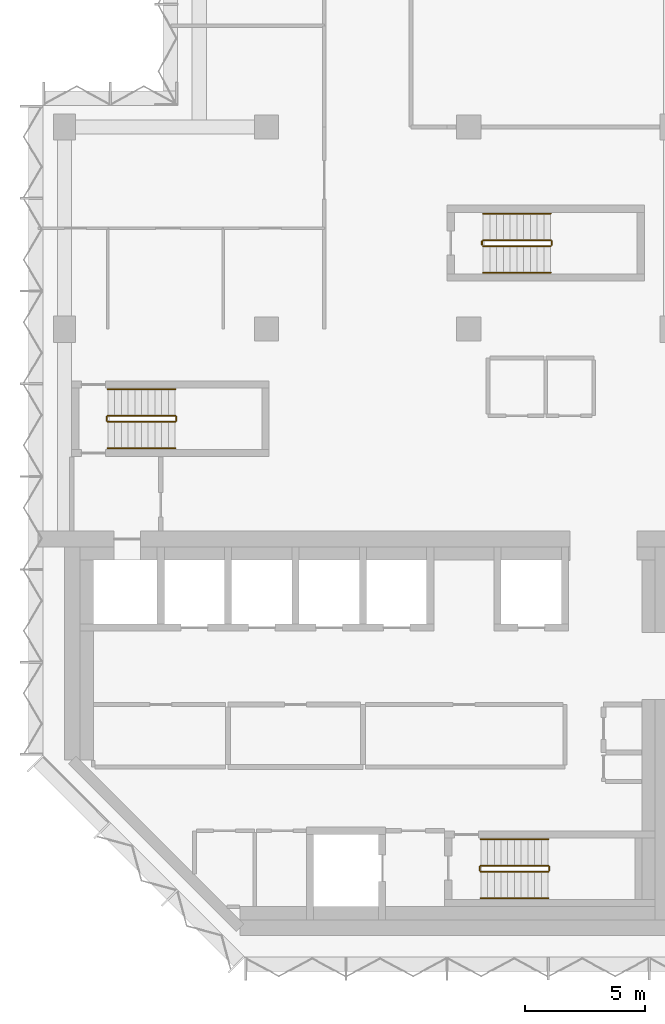
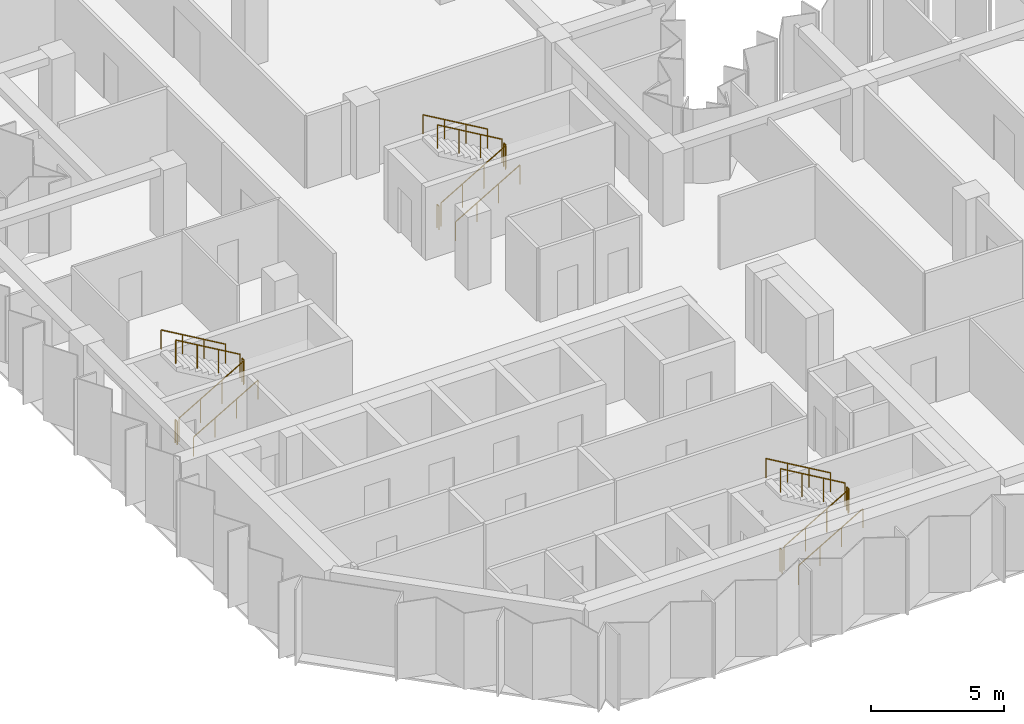
# One storey, part 9 of 10: 18 railings.
"""IFC4 building model written with IfcOpenShell, lengths in metres."""

from ifc_helpers import new_model, si_unit, direction, frame, origin, origin_2d, place, context, subcontext, project, spatial, circle, extrude, material, type_object, element, save


model = new_model("IFC4")

# Units and contexts
model_context = context("Model", 3, precision=1e-05, world=origin(), true_north=direction((0.0, 1.0)))
body_context = subcontext(model_context, "Body", "Model", "MODEL_VIEW")
ifc_project = project(units=[si_unit("LENGTHUNIT", "METRE"), si_unit("AREAUNIT", "SQUARE_METRE"), si_unit("VOLUMEUNIT", "CUBIC_METRE"), si_unit("PLANEANGLEUNIT", "RADIAN"), si_unit("MASSUNIT", "GRAM", prefix="KILO")], contexts=[model_context])

# Site, building, storey
site_placement = place(None, origin())
site = spatial("IfcSite", under=ifc_project, at=site_placement, CompositionType="ELEMENT")
building_placement = place(site_placement, origin())
building = spatial("IfcBuilding", under=site, at=building_placement, Name="Brevane Broadcast Tower", CompositionType="ELEMENT")
storey_placement = place(building_placement, frame((0.0, 0.0, 174.0)))
storey = spatial("IfcBuildingStorey", under=building, at=storey_placement, Name="L43", CompositionType="ELEMENT", Elevation=174.0)

# Railings
ifc_material = material(Name="Steel S355", Category="steel")
railing_type_1 = type_object("IfcRailingType", Name="Exit stair guard", PredefinedType="GUARDRAIL", material=ifc_material)
railing_1_placement = place(storey_placement, frame((1.800048828125, 21.35009765625, 0.16357421875)))
element("IfcRailing", 1, at=railing_1_placement, inside=storey, type_object=railing_type_1, Name="L43 ST-1 stair guard 1", PredefinedType="GUARDRAIL", context=body_context, shape_type="SweptSolid", body=[
    extrude(circle(Radius=0.02392578125, at=origin_2d()), frame((0.0, 0.0, 1.076171875), z_axis=(0.863360870873, 0.0, 0.504586966384), x_axis=(0.0, 1.0, 0.0)), (0.0, 0.0, 1.0), 3.2431640625),
    extrude(circle(Radius=0.02099609375, at=origin_2d()), origin(), (0.0, 0.0, 1.0), 1.052001953125),
    extrude(circle(Radius=0.02099609375, at=origin_2d()), frame((0.933349609375, 0.0, 0.54541015625)), (0.0, 0.0, 1.0), 1.052001953125),
    extrude(circle(Radius=0.02099609375, at=origin_2d()), frame((1.86669921875, 0.0, 1.091064453125)), (0.0, 0.0, 1.0), 1.052001953125),
    extrude(circle(Radius=0.02099609375, at=origin_2d()), frame((2.800048828125, 0.0, 1.636474609375)), (0.0, 0.0, 1.0), 1.052001953125),
])
railing_2_placement = place(storey_placement, frame((4.64990234375, 21.39990234375, 1.800048828125)))
element("IfcRailing", 2, at=railing_2_placement, inside=storey, type_object=railing_type_1, Name="L43 ST-1 stair guard 2", PredefinedType="GUARDRAIL", context=body_context, shape_type="SweptSolid", body=[
    extrude(circle(Radius=0.02392578125, at=origin_2d()), frame((0.0, 0.0, 1.076171875), z_axis=(0.0, 1.0, 0.0), x_axis=(-1.0, 0.0, 0.0)), (0.0, 0.0, 1.0), 0.150146484375),
    extrude(circle(Radius=0.02099609375, at=origin_2d()), origin(), (0.0, 0.0, 1.0), 1.052001953125),
    extrude(circle(Radius=0.02099609375, at=origin_2d()), frame((0.0, 0.150146484375, 0.0)), (0.0, 0.0, 1.0), 1.052001953125),
])
railing_3_placement = place(storey_placement, frame((4.60009765625, 21.60009765625, 1.963623046875)))
element("IfcRailing", 3, at=railing_3_placement, inside=storey, type_object=railing_type_1, Name="L43 ST-1 stair guard 3", PredefinedType="GUARDRAIL", context=body_context, shape_type="SweptSolid", body=[
    extrude(circle(Radius=0.02392578125, at=origin_2d()), frame((0.0, 0.0, 1.076171875), z_axis=(-0.863360870873, 0.0, 0.504586966384), x_axis=(0.0, -1.0, 0.0)), (0.0, 0.0, 1.0), 3.2431640625),
    extrude(circle(Radius=0.02099609375, at=origin_2d()), origin(), (0.0, 0.0, 1.0), 1.052001953125),
    extrude(circle(Radius=0.02099609375, at=origin_2d()), frame((-0.933349609375, 0.0, 0.54541015625)), (0.0, 0.0, 1.0), 1.052001953125),
    extrude(circle(Radius=0.02099609375, at=origin_2d()), frame((-1.86669921875, 0.0, 1.091064453125)), (0.0, 0.0, 1.0), 1.052001953125),
    extrude(circle(Radius=0.02099609375, at=origin_2d()), frame((-2.800048828125, 0.0, 1.636474609375)), (0.0, 0.0, 1.0), 1.052001953125),
])
railing_4_placement = place(storey_placement, frame((1.75, 21.39990234375, 0.0)))
element("IfcRailing", 4, at=railing_4_placement, inside=storey, type_object=railing_type_1, Name="L43 ST-1 stair guard 4", PredefinedType="GUARDRAIL", context=body_context, shape_type="SweptSolid", body=[
    extrude(circle(Radius=0.02392578125, at=origin_2d()), frame((0.0, 0.0, 1.076171875), z_axis=(0.0, 1.0, 0.0), x_axis=(-1.0, 0.0, 0.0)), (0.0, 0.0, 1.0), 0.150146484375),
    extrude(circle(Radius=0.02099609375, at=origin_2d()), origin(), (0.0, 0.0, 1.0), 1.052001953125),
    extrude(circle(Radius=0.02099609375, at=origin_2d()), frame((0.0, 0.150146484375, 0.0)), (0.0, 0.0, 1.0), 1.052001953125),
])
railing_5_placement = place(storey_placement, frame((17.300048828125, 2.64990234375, 0.16357421875)))
element("IfcRailing", 5, at=railing_5_placement, inside=storey, type_object=railing_type_1, Name="L43 ST-2 stair guard 1", PredefinedType="GUARDRAIL", context=body_context, shape_type="SweptSolid", body=[
    extrude(circle(Radius=0.02392578125, at=origin_2d()), frame((0.0, 0.0, 1.076171875), z_axis=(0.863360870873, 0.0, 0.504586966384), x_axis=(0.0, 1.0, 0.0)), (0.0, 0.0, 1.0), 3.2431640625),
    extrude(circle(Radius=0.02099609375, at=origin_2d()), origin(), (0.0, 0.0, 1.0), 1.052001953125),
    extrude(circle(Radius=0.02099609375, at=origin_2d()), frame((0.933349609375, 0.0, 0.54541015625)), (0.0, 0.0, 1.0), 1.052001953125),
    extrude(circle(Radius=0.02099609375, at=origin_2d()), frame((1.86669921875, 0.0, 1.091064453125)), (0.0, 0.0, 1.0), 1.052001953125),
    extrude(circle(Radius=0.02099609375, at=origin_2d()), frame((2.800048828125, 0.0, 1.636474609375)), (0.0, 0.0, 1.0), 1.052001953125),
])
railing_6_placement = place(storey_placement, frame((20.14990234375, 2.699951171875, 1.800048828125)))
element("IfcRailing", 6, at=railing_6_placement, inside=storey, type_object=railing_type_1, Name="L43 ST-2 stair guard 2", PredefinedType="GUARDRAIL", context=body_context, shape_type="SweptSolid", body=[
    extrude(circle(Radius=0.02392578125, at=origin_2d()), frame((0.0, 0.0, 1.076171875), z_axis=(0.0, 1.0, 0.0), x_axis=(-1.0, 0.0, 0.0)), (0.0, 0.0, 1.0), 0.150146484375),
    extrude(circle(Radius=0.02099609375, at=origin_2d()), origin(), (0.0, 0.0, 1.0), 1.052001953125),
    extrude(circle(Radius=0.02099609375, at=origin_2d()), frame((0.0, 0.150146484375, 0.0)), (0.0, 0.0, 1.0), 1.052001953125),
])
railing_7_placement = place(storey_placement, frame((20.10009765625, 2.89990234375, 1.963623046875)))
element("IfcRailing", 7, at=railing_7_placement, inside=storey, type_object=railing_type_1, Name="L43 ST-2 stair guard 3", PredefinedType="GUARDRAIL", context=body_context, shape_type="SweptSolid", body=[
    extrude(circle(Radius=0.02392578125, at=origin_2d()), frame((0.0, 0.0, 1.076171875), z_axis=(-0.863360870873, 0.0, 0.504586966384), x_axis=(0.0, -1.0, 0.0)), (0.0, 0.0, 1.0), 3.2431640625),
    extrude(circle(Radius=0.02099609375, at=origin_2d()), origin(), (0.0, 0.0, 1.0), 1.052001953125),
    extrude(circle(Radius=0.02099609375, at=origin_2d()), frame((-0.933349609375, 0.0, 0.54541015625)), (0.0, 0.0, 1.0), 1.052001953125),
    extrude(circle(Radius=0.02099609375, at=origin_2d()), frame((-1.86669921875, 0.0, 1.091064453125)), (0.0, 0.0, 1.0), 1.052001953125),
    extrude(circle(Radius=0.02099609375, at=origin_2d()), frame((-2.800048828125, 0.0, 1.636474609375)), (0.0, 0.0, 1.0), 1.052001953125),
])
railing_8_placement = place(storey_placement, frame((17.25, 2.699951171875, 0.0)))
element("IfcRailing", 8, at=railing_8_placement, inside=storey, type_object=railing_type_1, Name="L43 ST-2 stair guard 4", PredefinedType="GUARDRAIL", context=body_context, shape_type="SweptSolid", body=[
    extrude(circle(Radius=0.02392578125, at=origin_2d()), frame((0.0, 0.0, 1.076171875), z_axis=(0.0, 1.0, 0.0), x_axis=(-1.0, 0.0, 0.0)), (0.0, 0.0, 1.0), 0.150146484375),
    extrude(circle(Radius=0.02099609375, at=origin_2d()), origin(), (0.0, 0.0, 1.0), 1.052001953125),
    extrude(circle(Radius=0.02099609375, at=origin_2d()), frame((0.0, 0.150146484375, 0.0)), (0.0, 0.0, 1.0), 1.052001953125),
])
railing_9_placement = place(storey_placement, frame((17.39990234375, 28.64990234375, 0.16357421875)))
element("IfcRailing", 9, at=railing_9_placement, inside=storey, type_object=railing_type_1, Name="L43 ST-3 stair guard 1", PredefinedType="GUARDRAIL", context=body_context, shape_type="SweptSolid", body=[
    extrude(circle(Radius=0.02392578125, at=origin_2d()), frame((0.0, 0.0, 1.076171875), z_axis=(0.863360870873, 0.0, 0.504586966384), x_axis=(0.0, 1.0, 0.0)), (0.0, 0.0, 1.0), 3.2431640625),
    extrude(circle(Radius=0.02099609375, at=origin_2d()), origin(), (0.0, 0.0, 1.0), 1.052001953125),
    extrude(circle(Radius=0.02099609375, at=origin_2d()), frame((0.933349609375, 0.0, 0.54541015625)), (0.0, 0.0, 1.0), 1.052001953125),
    extrude(circle(Radius=0.02099609375, at=origin_2d()), frame((1.86669921875, 0.0, 1.091064453125)), (0.0, 0.0, 1.0), 1.052001953125),
    extrude(circle(Radius=0.02099609375, at=origin_2d()), frame((2.800048828125, 0.0, 1.636474609375)), (0.0, 0.0, 1.0), 1.052001953125),
])
railing_10_placement = place(storey_placement, frame((20.25, 28.699951171875, 1.800048828125)))
element("IfcRailing", 10, at=railing_10_placement, inside=storey, type_object=railing_type_1, Name="L43 ST-3 stair guard 2", PredefinedType="GUARDRAIL", context=body_context, shape_type="SweptSolid", body=[
    extrude(circle(Radius=0.02392578125, at=origin_2d()), frame((0.0, 0.0, 1.076171875), z_axis=(0.0, 1.0, 0.0), x_axis=(-1.0, 0.0, 0.0)), (0.0, 0.0, 1.0), 0.150146484375),
    extrude(circle(Radius=0.02099609375, at=origin_2d()), origin(), (0.0, 0.0, 1.0), 1.052001953125),
    extrude(circle(Radius=0.02099609375, at=origin_2d()), frame((0.0, 0.150146484375, 0.0)), (0.0, 0.0, 1.0), 1.052001953125),
])
railing_11_placement = place(storey_placement, frame((20.199951171875, 28.89990234375, 1.963623046875)))
element("IfcRailing", 11, at=railing_11_placement, inside=storey, type_object=railing_type_1, Name="L43 ST-3 stair guard 3", PredefinedType="GUARDRAIL", context=body_context, shape_type="SweptSolid", body=[
    extrude(circle(Radius=0.02392578125, at=origin_2d()), frame((0.0, 0.0, 1.076171875), z_axis=(-0.863360870873, 0.0, 0.504586966384), x_axis=(0.0, -1.0, 0.0)), (0.0, 0.0, 1.0), 3.2431640625),
    extrude(circle(Radius=0.02099609375, at=origin_2d()), origin(), (0.0, 0.0, 1.0), 1.052001953125),
    extrude(circle(Radius=0.02099609375, at=origin_2d()), frame((-0.933349609375, 0.0, 0.54541015625)), (0.0, 0.0, 1.0), 1.052001953125),
    extrude(circle(Radius=0.02099609375, at=origin_2d()), frame((-1.86669921875, 0.0, 1.091064453125)), (0.0, 0.0, 1.0), 1.052001953125),
    extrude(circle(Radius=0.02099609375, at=origin_2d()), frame((-2.800048828125, 0.0, 1.636474609375)), (0.0, 0.0, 1.0), 1.052001953125),
])
railing_12_placement = place(storey_placement, frame((17.35009765625, 28.699951171875, 0.0)))
element("IfcRailing", 12, at=railing_12_placement, inside=storey, type_object=railing_type_1, Name="L43 ST-3 stair guard 4", PredefinedType="GUARDRAIL", context=body_context, shape_type="SweptSolid", body=[
    extrude(circle(Radius=0.02392578125, at=origin_2d()), frame((0.0, 0.0, 1.076171875), z_axis=(0.0, 1.0, 0.0), x_axis=(-1.0, 0.0, 0.0)), (0.0, 0.0, 1.0), 0.150146484375),
    extrude(circle(Radius=0.02099609375, at=origin_2d()), origin(), (0.0, 0.0, 1.0), 1.052001953125),
    extrude(circle(Radius=0.02099609375, at=origin_2d()), frame((0.0, 0.150146484375, 0.0)), (0.0, 0.0, 1.0), 1.052001953125),
])
railing_type_2 = type_object("IfcRailingType", Name="Exit stair handrail", PredefinedType="HANDRAIL", material=ifc_material)
railing_13_placement = place(storey_placement, frame((1.800048828125, 20.25, 0.16357421875)))
element("IfcRailing", 13, at=railing_13_placement, inside=storey, type_object=railing_type_2, Name="L43 ST-1 stair handrail 1", PredefinedType="HANDRAIL", context=body_context, shape_type="SweptSolid", body=[
    extrude(circle(Radius=0.02392578125, at=origin_2d()), frame((0.0, 0.0, 0.8759765625), z_axis=(0.863360870873, 0.0, 0.504586966384), x_axis=(0.0, 1.0, 0.0)), (0.0, 0.0, 1.0), 3.2431640625),
    extrude(circle(Radius=0.02099609375, at=origin_2d()), origin(), (0.0, 0.0, 1.0), 0.851806640625),
    extrude(circle(Radius=0.02099609375, at=origin_2d()), frame((0.933349609375, 0.0, 0.54541015625)), (0.0, 0.0, 1.0), 0.851806640625),
    extrude(circle(Radius=0.02099609375, at=origin_2d()), frame((1.86669921875, 0.0, 1.091064453125)), (0.0, 0.0, 1.0), 0.851806640625),
    extrude(circle(Radius=0.02099609375, at=origin_2d()), frame((2.800048828125, 0.0, 1.636474609375)), (0.0, 0.0, 1.0), 0.851806640625),
])
railing_14_placement = place(storey_placement, frame((4.60009765625, 22.699951171875, 1.963623046875)))
element("IfcRailing", 14, at=railing_14_placement, inside=storey, type_object=railing_type_2, Name="L43 ST-1 stair handrail 2", PredefinedType="HANDRAIL", context=body_context, shape_type="SweptSolid", body=[
    extrude(circle(Radius=0.02392578125, at=origin_2d()), frame((0.0, 0.0, 0.8759765625), z_axis=(-0.863360870873, 0.0, 0.504586966384), x_axis=(0.0, -1.0, 0.0)), (0.0, 0.0, 1.0), 3.2431640625),
    extrude(circle(Radius=0.02099609375, at=origin_2d()), origin(), (0.0, 0.0, 1.0), 0.851806640625),
    extrude(circle(Radius=0.02099609375, at=origin_2d()), frame((-0.933349609375, 0.0, 0.54541015625)), (0.0, 0.0, 1.0), 0.851806640625),
    extrude(circle(Radius=0.02099609375, at=origin_2d()), frame((-1.86669921875, 0.0, 1.091064453125)), (0.0, 0.0, 1.0), 0.851806640625),
    extrude(circle(Radius=0.02099609375, at=origin_2d()), frame((-2.800048828125, 0.0, 1.636474609375)), (0.0, 0.0, 1.0), 0.851806640625),
])
railing_15_placement = place(storey_placement, frame((17.300048828125, 1.550048828125, 0.16357421875)))
element("IfcRailing", 15, at=railing_15_placement, inside=storey, type_object=railing_type_2, Name="L43 ST-2 stair handrail 1", PredefinedType="HANDRAIL", context=body_context, shape_type="SweptSolid", body=[
    extrude(circle(Radius=0.02392578125, at=origin_2d()), frame((0.0, 0.0, 0.8759765625), z_axis=(0.863360870873, 0.0, 0.504586966384), x_axis=(0.0, 1.0, 0.0)), (0.0, 0.0, 1.0), 3.2431640625),
    extrude(circle(Radius=0.02099609375, at=origin_2d()), origin(), (0.0, 0.0, 1.0), 0.851806640625),
    extrude(circle(Radius=0.02099609375, at=origin_2d()), frame((0.933349609375, 0.0, 0.54541015625)), (0.0, 0.0, 1.0), 0.851806640625),
    extrude(circle(Radius=0.02099609375, at=origin_2d()), frame((1.86669921875, 0.0, 1.091064453125)), (0.0, 0.0, 1.0), 0.851806640625),
    extrude(circle(Radius=0.02099609375, at=origin_2d()), frame((2.800048828125, 0.0, 1.636474609375)), (0.0, 0.0, 1.0), 0.851806640625),
])
railing_16_placement = place(storey_placement, frame((20.10009765625, 4.0, 1.963623046875)))
element("IfcRailing", 16, at=railing_16_placement, inside=storey, type_object=railing_type_2, Name="L43 ST-2 stair handrail 2", PredefinedType="HANDRAIL", context=body_context, shape_type="SweptSolid", body=[
    extrude(circle(Radius=0.02392578125, at=origin_2d()), frame((0.0, 0.0, 0.8759765625), z_axis=(-0.863360870873, 0.0, 0.504586966384), x_axis=(0.0, -1.0, 0.0)), (0.0, 0.0, 1.0), 3.2431640625),
    extrude(circle(Radius=0.02099609375, at=origin_2d()), origin(), (0.0, 0.0, 1.0), 0.851806640625),
    extrude(circle(Radius=0.02099609375, at=origin_2d()), frame((-0.933349609375, 0.0, 0.54541015625)), (0.0, 0.0, 1.0), 0.851806640625),
    extrude(circle(Radius=0.02099609375, at=origin_2d()), frame((-1.86669921875, 0.0, 1.091064453125)), (0.0, 0.0, 1.0), 0.851806640625),
    extrude(circle(Radius=0.02099609375, at=origin_2d()), frame((-2.800048828125, 0.0, 1.636474609375)), (0.0, 0.0, 1.0), 0.851806640625),
])
railing_17_placement = place(storey_placement, frame((17.39990234375, 27.550048828125, 0.16357421875)))
element("IfcRailing", 17, at=railing_17_placement, inside=storey, type_object=railing_type_2, Name="L43 ST-3 stair handrail 1", PredefinedType="HANDRAIL", context=body_context, shape_type="SweptSolid", body=[
    extrude(circle(Radius=0.02392578125, at=origin_2d()), frame((0.0, 0.0, 0.8759765625), z_axis=(0.863360870873, 0.0, 0.504586966384), x_axis=(0.0, 1.0, 0.0)), (0.0, 0.0, 1.0), 3.2431640625),
    extrude(circle(Radius=0.02099609375, at=origin_2d()), origin(), (0.0, 0.0, 1.0), 0.851806640625),
    extrude(circle(Radius=0.02099609375, at=origin_2d()), frame((0.933349609375, 0.0, 0.54541015625)), (0.0, 0.0, 1.0), 0.851806640625),
    extrude(circle(Radius=0.02099609375, at=origin_2d()), frame((1.86669921875, 0.0, 1.091064453125)), (0.0, 0.0, 1.0), 0.851806640625),
    extrude(circle(Radius=0.02099609375, at=origin_2d()), frame((2.800048828125, 0.0, 1.636474609375)), (0.0, 0.0, 1.0), 0.851806640625),
])
railing_18_placement = place(storey_placement, frame((20.199951171875, 30.0, 1.963623046875)))
element("IfcRailing", 18, at=railing_18_placement, inside=storey, type_object=railing_type_2, Name="L43 ST-3 stair handrail 2", PredefinedType="HANDRAIL", context=body_context, shape_type="SweptSolid", body=[
    extrude(circle(Radius=0.02392578125, at=origin_2d()), frame((0.0, 0.0, 0.8759765625), z_axis=(-0.863360870873, 0.0, 0.504586966384), x_axis=(0.0, -1.0, 0.0)), (0.0, 0.0, 1.0), 3.2431640625),
    extrude(circle(Radius=0.02099609375, at=origin_2d()), origin(), (0.0, 0.0, 1.0), 0.851806640625),
    extrude(circle(Radius=0.02099609375, at=origin_2d()), frame((-0.933349609375, 0.0, 0.54541015625)), (0.0, 0.0, 1.0), 0.851806640625),
    extrude(circle(Radius=0.02099609375, at=origin_2d()), frame((-1.86669921875, 0.0, 1.091064453125)), (0.0, 0.0, 1.0), 0.851806640625),
    extrude(circle(Radius=0.02099609375, at=origin_2d()), frame((-2.800048828125, 0.0, 1.636474609375)), (0.0, 0.0, 1.0), 0.851806640625),
])

save(model, "model.ifc")
